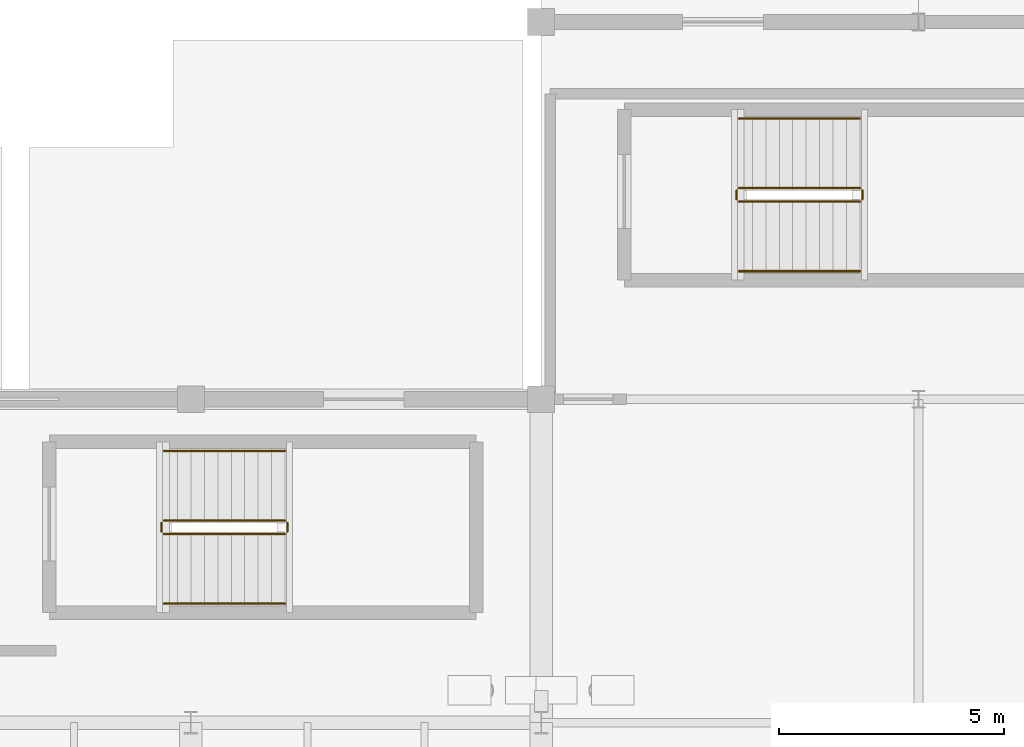
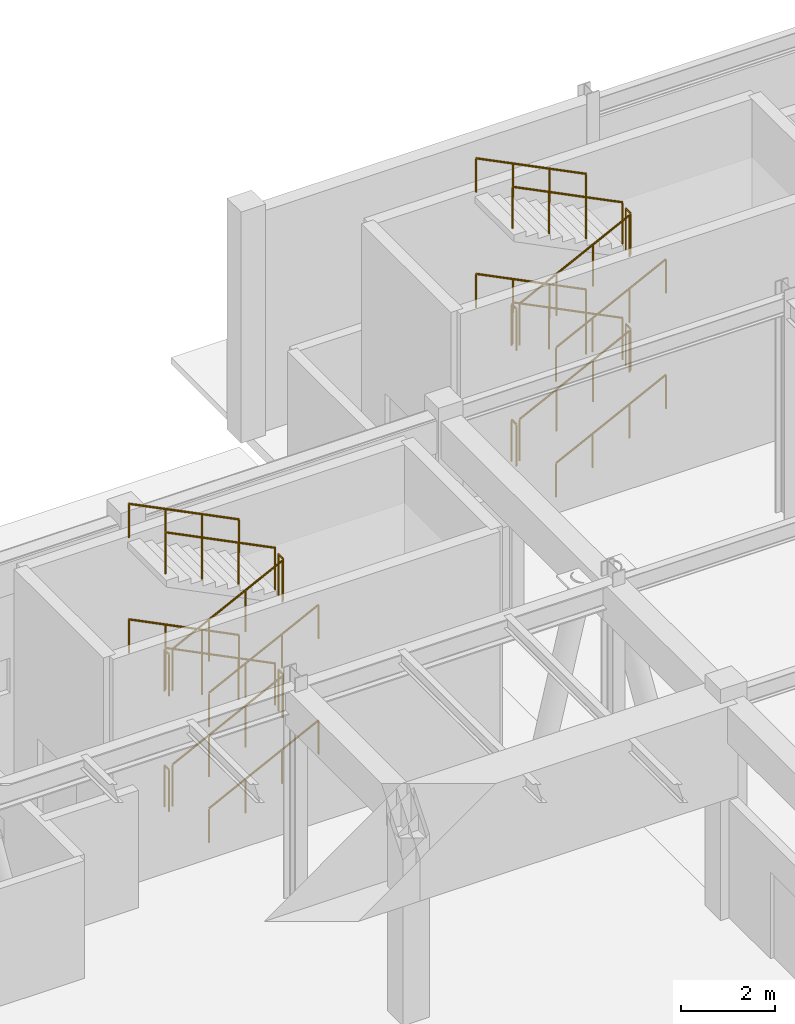
# One storey, part 102 of 110: 24 railings.
"""IFC4 building model written with IfcOpenShell, lengths in metres."""

from ifc_helpers import new_model, si_unit, direction, frame, origin, origin_2d, place, context, subcontext, project, spatial, circle, extrude, material, type_object, element, save


model = new_model("IFC4")

# Units and contexts
model_context = context("Model", 3, precision=1e-05, world=origin(), true_north=direction((0.0, 1.0)))
body_context = subcontext(model_context, "Body", "Model", "MODEL_VIEW")
ifc_project = project(units=[si_unit("LENGTHUNIT", "METRE"), si_unit("AREAUNIT", "SQUARE_METRE"), si_unit("VOLUMEUNIT", "CUBIC_METRE"), si_unit("PLANEANGLEUNIT", "RADIAN"), si_unit("MASSUNIT", "GRAM", prefix="KILO")], contexts=[model_context])

# Site, building, storey
site_placement = place(None, origin())
site = spatial("IfcSite", under=ifc_project, at=site_placement, CompositionType="ELEMENT")
building_placement = place(site_placement, origin())
building = spatial("IfcBuilding", under=site, at=building_placement, Name="Tizgana Railside Sports Hall", CompositionType="ELEMENT")
storey_placement = place(building_placement, origin())
storey = spatial("IfcBuildingStorey", under=building, at=storey_placement, Name="L00", CompositionType="ELEMENT", Elevation=0.0)

# Railings
ifc_material_1 = material(Name="Galvanised steel sheet", Category="steel")
railing_type_1 = type_object("IfcRailingType", Name="Safety Balustrade Guard 1100", PredefinedType="BALUSTRADE", material=ifc_material_1)
railing_1_placement = place(storey_placement, frame((59.0, 84.800048828125, 0.14990234375)))
element("IfcRailing", 1, at=railing_1_placement, inside=storey, type_object=railing_type_1, Name="L00 ST-04 stair guard 1", PredefinedType="BALUSTRADE", context=body_context, shape_type="SweptSolid", body=[
    extrude(circle(Radius=0.02392578125, at=origin_2d()), frame((0.0, 0.0, 1.076171875), z_axis=(0.894411015155, 0.0, 0.447245945728), x_axis=(0.0, 1.0, 0.0)), (0.0, 0.0, 1.0), 3.018798828125),
    extrude(circle(Radius=0.02099609375, at=origin_2d()), origin(), (0.0, 0.0, 1.0), 1.052001953125),
    extrude(circle(Radius=0.02099609375, at=origin_2d()), frame((0.89990234375, 0.0, 0.449951171875)), (0.0, 0.0, 1.0), 1.052001953125),
    extrude(circle(Radius=0.02099609375, at=origin_2d()), frame((1.800048828125, 0.0, 0.900146484375)), (0.0, 0.0, 1.0), 1.052001953125),
    extrude(circle(Radius=0.02099609375, at=origin_2d()), frame((2.699951171875, 0.0, 1.35009765625)), (0.0, 0.0, 1.0), 1.052001953125),
])
railing_2_placement = place(storey_placement, frame((61.75, 84.85009765625, 1.5)))
element("IfcRailing", 2, at=railing_2_placement, inside=storey, type_object=railing_type_1, Name="L00 ST-04 stair guard 2", PredefinedType="BALUSTRADE", context=body_context, shape_type="SweptSolid", body=[
    extrude(circle(Radius=0.02392578125, at=origin_2d()), frame((0.0, 0.0, 1.076171875), z_axis=(0.0, 1.0, 0.0), x_axis=(-1.0, 0.0, 0.0)), (0.0, 0.0, 1.0), 0.199951171875),
    extrude(circle(Radius=0.02099609375, at=origin_2d()), origin(), (0.0, 0.0, 1.0), 1.052001953125),
    extrude(circle(Radius=0.02099609375, at=origin_2d()), frame((0.0, 0.199951171875, 0.0)), (0.0, 0.0, 1.0), 1.052001953125),
])
railing_3_placement = place(storey_placement, frame((61.699951171875, 85.10009765625, 1.64990234375)))
element("IfcRailing", 3, at=railing_3_placement, inside=storey, type_object=railing_type_1, Name="L00 ST-04 stair guard 3", PredefinedType="BALUSTRADE", context=body_context, shape_type="SweptSolid", body=[
    extrude(circle(Radius=0.02392578125, at=origin_2d()), frame((0.0, 0.0, 1.076171875), z_axis=(-0.894411015155, 0.0, 0.447245945728), x_axis=(0.0, -1.0, 0.0)), (0.0, 0.0, 1.0), 3.018798828125),
    extrude(circle(Radius=0.02099609375, at=origin_2d()), origin(), (0.0, 0.0, 1.0), 1.052001953125),
    extrude(circle(Radius=0.02099609375, at=origin_2d()), frame((-0.89990234375, 0.0, 0.449951171875)), (0.0, 0.0, 1.0), 1.052001953125),
    extrude(circle(Radius=0.02099609375, at=origin_2d()), frame((-1.800048828125, 0.0, 0.900146484375)), (0.0, 0.0, 1.0), 1.052001953125),
    extrude(circle(Radius=0.02099609375, at=origin_2d()), frame((-2.699951171875, 0.0, 1.35009765625)), (0.0, 0.0, 1.0), 1.052001953125),
])
railing_4_placement = place(storey_placement, frame((58.949951171875, 84.85009765625, 3.0)))
element("IfcRailing", 4, at=railing_4_placement, inside=storey, type_object=railing_type_1, Name="L00 ST-04 stair guard 4", PredefinedType="BALUSTRADE", context=body_context, shape_type="SweptSolid", body=[
    extrude(circle(Radius=0.02392578125, at=origin_2d()), frame((0.0, 0.0, 1.076171875), z_axis=(0.0, 1.0, 0.0), x_axis=(-1.0, 0.0, 0.0)), (0.0, 0.0, 1.0), 0.199951171875),
    extrude(circle(Radius=0.02099609375, at=origin_2d()), origin(), (0.0, 0.0, 1.0), 1.052001953125),
    extrude(circle(Radius=0.02099609375, at=origin_2d()), frame((0.0, 0.199951171875, 0.0)), (0.0, 0.0, 1.0), 1.052001953125),
])
railing_5_placement = place(storey_placement, frame((59.0, 84.800048828125, 3.14990234375)))
element("IfcRailing", 5, at=railing_5_placement, inside=storey, type_object=railing_type_1, Name="L00 ST-04 stair guard 5", PredefinedType="BALUSTRADE", context=body_context, shape_type="SweptSolid", body=[
    extrude(circle(Radius=0.02392578125, at=origin_2d()), frame((0.0, 0.0, 1.076171875), z_axis=(0.894411015155, 0.0, 0.447245945728), x_axis=(0.0, 1.0, 0.0)), (0.0, 0.0, 1.0), 3.018798828125),
    extrude(circle(Radius=0.02099609375, at=origin_2d()), origin(), (0.0, 0.0, 1.0), 1.052001953125),
    extrude(circle(Radius=0.02099609375, at=origin_2d()), frame((0.89990234375, 0.0, 0.449951171875)), (0.0, 0.0, 1.0), 1.052001953125),
    extrude(circle(Radius=0.02099609375, at=origin_2d()), frame((1.800048828125, 0.0, 0.900146484375)), (0.0, 0.0, 1.0), 1.052001953125),
    extrude(circle(Radius=0.02099609375, at=origin_2d()), frame((2.699951171875, 0.0, 1.35009765625)), (0.0, 0.0, 1.0), 1.052001953125),
])
railing_6_placement = place(storey_placement, frame((61.75, 84.85009765625, 4.5)))
element("IfcRailing", 6, at=railing_6_placement, inside=storey, type_object=railing_type_1, Name="L00 ST-04 stair guard 6", PredefinedType="BALUSTRADE", context=body_context, shape_type="SweptSolid", body=[
    extrude(circle(Radius=0.02392578125, at=origin_2d()), frame((0.0, 0.0, 1.076171875), z_axis=(0.0, 1.0, 0.0), x_axis=(-1.0, 0.0, 0.0)), (0.0, 0.0, 1.0), 0.199951171875),
    extrude(circle(Radius=0.02099609375, at=origin_2d()), origin(), (0.0, 0.0, 1.0), 1.052001953125),
    extrude(circle(Radius=0.02099609375, at=origin_2d()), frame((0.0, 0.199951171875, 0.0)), (0.0, 0.0, 1.0), 1.052001953125),
])
railing_7_placement = place(storey_placement, frame((61.699951171875, 85.10009765625, 4.64990234375)))
element("IfcRailing", 7, at=railing_7_placement, inside=storey, type_object=railing_type_1, Name="L00 ST-04 stair guard 7", PredefinedType="BALUSTRADE", context=body_context, shape_type="SweptSolid", body=[
    extrude(circle(Radius=0.02392578125, at=origin_2d()), frame((0.0, 0.0, 1.076171875), z_axis=(-0.894411015155, 0.0, 0.447245945728), x_axis=(0.0, -1.0, 0.0)), (0.0, 0.0, 1.0), 3.018798828125),
    extrude(circle(Radius=0.02099609375, at=origin_2d()), origin(), (0.0, 0.0, 1.0), 1.052001953125),
    extrude(circle(Radius=0.02099609375, at=origin_2d()), frame((-0.89990234375, 0.0, 0.449951171875)), (0.0, 0.0, 1.0), 1.052001953125),
    extrude(circle(Radius=0.02099609375, at=origin_2d()), frame((-1.800048828125, 0.0, 0.900146484375)), (0.0, 0.0, 1.0), 1.052001953125),
    extrude(circle(Radius=0.02099609375, at=origin_2d()), frame((-2.699951171875, 0.0, 1.35009765625)), (0.0, 0.0, 1.0), 1.052001953125),
])
railing_8_placement = place(storey_placement, frame((58.949951171875, 84.85009765625, 0.0)))
element("IfcRailing", 8, at=railing_8_placement, inside=storey, type_object=railing_type_1, Name="L00 ST-04 stair guard 8", PredefinedType="BALUSTRADE", context=body_context, shape_type="SweptSolid", body=[
    extrude(circle(Radius=0.02392578125, at=origin_2d()), frame((0.0, 0.0, 1.076171875), z_axis=(0.0, 1.0, 0.0), x_axis=(-1.0, 0.0, 0.0)), (0.0, 0.0, 1.0), 0.199951171875),
    extrude(circle(Radius=0.02099609375, at=origin_2d()), origin(), (0.0, 0.0, 1.0), 1.052001953125),
    extrude(circle(Radius=0.02099609375, at=origin_2d()), frame((0.0, 0.199951171875, 0.0)), (0.0, 0.0, 1.0), 1.052001953125),
])
railing_9_placement = place(storey_placement, frame((46.199951171875, 77.39990234375, 0.14990234375)))
element("IfcRailing", 9, at=railing_9_placement, inside=storey, type_object=railing_type_1, Name="L00 ST-06 stair guard 1", PredefinedType="BALUSTRADE", context=body_context, shape_type="SweptSolid", body=[
    extrude(circle(Radius=0.02392578125, at=origin_2d()), frame((0.0, 0.0, 1.076171875), z_axis=(0.894411015155, 0.0, 0.447245945728), x_axis=(0.0, 1.0, 0.0)), (0.0, 0.0, 1.0), 3.018798828125),
    extrude(circle(Radius=0.02099609375, at=origin_2d()), origin(), (0.0, 0.0, 1.0), 1.052001953125),
    extrude(circle(Radius=0.02099609375, at=origin_2d()), frame((0.89990234375, 0.0, 0.449951171875)), (0.0, 0.0, 1.0), 1.052001953125),
    extrude(circle(Radius=0.02099609375, at=origin_2d()), frame((1.800048828125, 0.0, 0.900146484375)), (0.0, 0.0, 1.0), 1.052001953125),
    extrude(circle(Radius=0.02099609375, at=origin_2d()), frame((2.699951171875, 0.0, 1.35009765625)), (0.0, 0.0, 1.0), 1.052001953125),
])
railing_10_placement = place(storey_placement, frame((48.949951171875, 77.449951171875, 1.5)))
element("IfcRailing", 10, at=railing_10_placement, inside=storey, type_object=railing_type_1, Name="L00 ST-06 stair guard 2", PredefinedType="BALUSTRADE", context=body_context, shape_type="SweptSolid", body=[
    extrude(circle(Radius=0.02392578125, at=origin_2d()), frame((0.0, 0.0, 1.076171875), z_axis=(0.0, 1.0, 0.0), x_axis=(-1.0, 0.0, 0.0)), (0.0, 0.0, 1.0), 0.199951171875),
    extrude(circle(Radius=0.02099609375, at=origin_2d()), origin(), (0.0, 0.0, 1.0), 1.052001953125),
    extrude(circle(Radius=0.02099609375, at=origin_2d()), frame((0.0, 0.199951171875, 0.0)), (0.0, 0.0, 1.0), 1.052001953125),
])
railing_11_placement = place(storey_placement, frame((48.89990234375, 77.699951171875, 1.64990234375)))
element("IfcRailing", 11, at=railing_11_placement, inside=storey, type_object=railing_type_1, Name="L00 ST-06 stair guard 3", PredefinedType="BALUSTRADE", context=body_context, shape_type="SweptSolid", body=[
    extrude(circle(Radius=0.02392578125, at=origin_2d()), frame((0.0, 0.0, 1.076171875), z_axis=(-0.894411015155, 0.0, 0.447245945728), x_axis=(0.0, -1.0, 0.0)), (0.0, 0.0, 1.0), 3.018798828125),
    extrude(circle(Radius=0.02099609375, at=origin_2d()), origin(), (0.0, 0.0, 1.0), 1.052001953125),
    extrude(circle(Radius=0.02099609375, at=origin_2d()), frame((-0.89990234375, 0.0, 0.449951171875)), (0.0, 0.0, 1.0), 1.052001953125),
    extrude(circle(Radius=0.02099609375, at=origin_2d()), frame((-1.800048828125, 0.0, 0.900146484375)), (0.0, 0.0, 1.0), 1.052001953125),
    extrude(circle(Radius=0.02099609375, at=origin_2d()), frame((-2.699951171875, 0.0, 1.35009765625)), (0.0, 0.0, 1.0), 1.052001953125),
])
railing_12_placement = place(storey_placement, frame((46.14990234375, 77.449951171875, 3.0)))
element("IfcRailing", 12, at=railing_12_placement, inside=storey, type_object=railing_type_1, Name="L00 ST-06 stair guard 4", PredefinedType="BALUSTRADE", context=body_context, shape_type="SweptSolid", body=[
    extrude(circle(Radius=0.02392578125, at=origin_2d()), frame((0.0, 0.0, 1.076171875), z_axis=(0.0, 1.0, 0.0), x_axis=(-1.0, 0.0, 0.0)), (0.0, 0.0, 1.0), 0.199951171875),
    extrude(circle(Radius=0.02099609375, at=origin_2d()), origin(), (0.0, 0.0, 1.0), 1.052001953125),
    extrude(circle(Radius=0.02099609375, at=origin_2d()), frame((0.0, 0.199951171875, 0.0)), (0.0, 0.0, 1.0), 1.052001953125),
])
railing_13_placement = place(storey_placement, frame((46.199951171875, 77.39990234375, 3.14990234375)))
element("IfcRailing", 13, at=railing_13_placement, inside=storey, type_object=railing_type_1, Name="L00 ST-06 stair guard 5", PredefinedType="BALUSTRADE", context=body_context, shape_type="SweptSolid", body=[
    extrude(circle(Radius=0.02392578125, at=origin_2d()), frame((0.0, 0.0, 1.076171875), z_axis=(0.894411015155, 0.0, 0.447245945728), x_axis=(0.0, 1.0, 0.0)), (0.0, 0.0, 1.0), 3.018798828125),
    extrude(circle(Radius=0.02099609375, at=origin_2d()), origin(), (0.0, 0.0, 1.0), 1.052001953125),
    extrude(circle(Radius=0.02099609375, at=origin_2d()), frame((0.89990234375, 0.0, 0.449951171875)), (0.0, 0.0, 1.0), 1.052001953125),
    extrude(circle(Radius=0.02099609375, at=origin_2d()), frame((1.800048828125, 0.0, 0.900146484375)), (0.0, 0.0, 1.0), 1.052001953125),
    extrude(circle(Radius=0.02099609375, at=origin_2d()), frame((2.699951171875, 0.0, 1.35009765625)), (0.0, 0.0, 1.0), 1.052001953125),
])
railing_14_placement = place(storey_placement, frame((48.949951171875, 77.449951171875, 4.5)))
element("IfcRailing", 14, at=railing_14_placement, inside=storey, type_object=railing_type_1, Name="L00 ST-06 stair guard 6", PredefinedType="BALUSTRADE", context=body_context, shape_type="SweptSolid", body=[
    extrude(circle(Radius=0.02392578125, at=origin_2d()), frame((0.0, 0.0, 1.076171875), z_axis=(0.0, 1.0, 0.0), x_axis=(-1.0, 0.0, 0.0)), (0.0, 0.0, 1.0), 0.199951171875),
    extrude(circle(Radius=0.02099609375, at=origin_2d()), origin(), (0.0, 0.0, 1.0), 1.052001953125),
    extrude(circle(Radius=0.02099609375, at=origin_2d()), frame((0.0, 0.199951171875, 0.0)), (0.0, 0.0, 1.0), 1.052001953125),
])
railing_15_placement = place(storey_placement, frame((48.89990234375, 77.699951171875, 4.64990234375)))
element("IfcRailing", 15, at=railing_15_placement, inside=storey, type_object=railing_type_1, Name="L00 ST-06 stair guard 7", PredefinedType="BALUSTRADE", context=body_context, shape_type="SweptSolid", body=[
    extrude(circle(Radius=0.02392578125, at=origin_2d()), frame((0.0, 0.0, 1.076171875), z_axis=(-0.894411015155, 0.0, 0.447245945728), x_axis=(0.0, -1.0, 0.0)), (0.0, 0.0, 1.0), 3.018798828125),
    extrude(circle(Radius=0.02099609375, at=origin_2d()), origin(), (0.0, 0.0, 1.0), 1.052001953125),
    extrude(circle(Radius=0.02099609375, at=origin_2d()), frame((-0.89990234375, 0.0, 0.449951171875)), (0.0, 0.0, 1.0), 1.052001953125),
    extrude(circle(Radius=0.02099609375, at=origin_2d()), frame((-1.800048828125, 0.0, 0.900146484375)), (0.0, 0.0, 1.0), 1.052001953125),
    extrude(circle(Radius=0.02099609375, at=origin_2d()), frame((-2.699951171875, 0.0, 1.35009765625)), (0.0, 0.0, 1.0), 1.052001953125),
])
railing_16_placement = place(storey_placement, frame((46.14990234375, 77.449951171875, 0.0)))
element("IfcRailing", 16, at=railing_16_placement, inside=storey, type_object=railing_type_1, Name="L00 ST-06 stair guard 8", PredefinedType="BALUSTRADE", context=body_context, shape_type="SweptSolid", body=[
    extrude(circle(Radius=0.02392578125, at=origin_2d()), frame((0.0, 0.0, 1.076171875), z_axis=(0.0, 1.0, 0.0), x_axis=(-1.0, 0.0, 0.0)), (0.0, 0.0, 1.0), 0.199951171875),
    extrude(circle(Radius=0.02099609375, at=origin_2d()), origin(), (0.0, 0.0, 1.0), 1.052001953125),
    extrude(circle(Radius=0.02099609375, at=origin_2d()), frame((0.0, 0.199951171875, 0.0)), (0.0, 0.0, 1.0), 1.052001953125),
])
ifc_material_2 = material(Name="Brushed stainless steel", Category="steel")
railing_type_2 = type_object("IfcRailingType", Name="Stair & Ramp Wall Handrail 900", PredefinedType="HANDRAIL", material=ifc_material_2)
railing_17_placement = place(storey_placement, frame((59.0, 83.25, 0.14990234375)))
element("IfcRailing", 17, at=railing_17_placement, inside=storey, type_object=railing_type_2, Name="L00 ST-04 stair handrail 1", PredefinedType="HANDRAIL", context=body_context, shape_type="SweptSolid", body=[
    extrude(circle(Radius=0.02392578125, at=origin_2d()), frame((0.0, 0.0, 0.8759765625), z_axis=(0.894411015155, 0.0, 0.447245945728), x_axis=(0.0, 1.0, 0.0)), (0.0, 0.0, 1.0), 3.018798828125),
    extrude(circle(Radius=0.02099609375, at=origin_2d()), origin(), (0.0, 0.0, 1.0), 0.851806640625),
    extrude(circle(Radius=0.02099609375, at=origin_2d()), frame((0.89990234375, 0.0, 0.449951171875)), (0.0, 0.0, 1.0), 0.851806640625),
    extrude(circle(Radius=0.02099609375, at=origin_2d()), frame((1.800048828125, 0.0, 0.900146484375)), (0.0, 0.0, 1.0), 0.851806640625),
    extrude(circle(Radius=0.02099609375, at=origin_2d()), frame((2.699951171875, 0.0, 1.35009765625)), (0.0, 0.0, 1.0), 0.851806640625),
])
railing_18_placement = place(storey_placement, frame((61.699951171875, 86.64990234375, 1.64990234375)))
element("IfcRailing", 18, at=railing_18_placement, inside=storey, type_object=railing_type_2, Name="L00 ST-04 stair handrail 2", PredefinedType="HANDRAIL", context=body_context, shape_type="SweptSolid", body=[
    extrude(circle(Radius=0.02392578125, at=origin_2d()), frame((0.0, 0.0, 0.8759765625), z_axis=(-0.894411015155, 0.0, 0.447245945728), x_axis=(0.0, -1.0, 0.0)), (0.0, 0.0, 1.0), 3.018798828125),
    extrude(circle(Radius=0.02099609375, at=origin_2d()), origin(), (0.0, 0.0, 1.0), 0.851806640625),
    extrude(circle(Radius=0.02099609375, at=origin_2d()), frame((-0.89990234375, 0.0, 0.449951171875)), (0.0, 0.0, 1.0), 0.851806640625),
    extrude(circle(Radius=0.02099609375, at=origin_2d()), frame((-1.800048828125, 0.0, 0.900146484375)), (0.0, 0.0, 1.0), 0.851806640625),
    extrude(circle(Radius=0.02099609375, at=origin_2d()), frame((-2.699951171875, 0.0, 1.35009765625)), (0.0, 0.0, 1.0), 0.851806640625),
])
railing_19_placement = place(storey_placement, frame((59.0, 83.25, 3.14990234375)))
element("IfcRailing", 19, at=railing_19_placement, inside=storey, type_object=railing_type_2, Name="L00 ST-04 stair handrail 3", PredefinedType="HANDRAIL", context=body_context, shape_type="SweptSolid", body=[
    extrude(circle(Radius=0.02392578125, at=origin_2d()), frame((0.0, 0.0, 0.8759765625), z_axis=(0.894411015155, 0.0, 0.447245945728), x_axis=(0.0, 1.0, 0.0)), (0.0, 0.0, 1.0), 3.018798828125),
    extrude(circle(Radius=0.02099609375, at=origin_2d()), origin(), (0.0, 0.0, 1.0), 0.851806640625),
    extrude(circle(Radius=0.02099609375, at=origin_2d()), frame((0.89990234375, 0.0, 0.449951171875)), (0.0, 0.0, 1.0), 0.851806640625),
    extrude(circle(Radius=0.02099609375, at=origin_2d()), frame((1.800048828125, 0.0, 0.900146484375)), (0.0, 0.0, 1.0), 0.851806640625),
    extrude(circle(Radius=0.02099609375, at=origin_2d()), frame((2.699951171875, 0.0, 1.35009765625)), (0.0, 0.0, 1.0), 0.851806640625),
])
railing_20_placement = place(storey_placement, frame((61.699951171875, 86.64990234375, 4.64990234375)))
element("IfcRailing", 20, at=railing_20_placement, inside=storey, type_object=railing_type_2, Name="L00 ST-04 stair handrail 4", PredefinedType="HANDRAIL", context=body_context, shape_type="SweptSolid", body=[
    extrude(circle(Radius=0.02392578125, at=origin_2d()), frame((0.0, 0.0, 0.8759765625), z_axis=(-0.894411015155, 0.0, 0.447245945728), x_axis=(0.0, -1.0, 0.0)), (0.0, 0.0, 1.0), 3.018798828125),
    extrude(circle(Radius=0.02099609375, at=origin_2d()), origin(), (0.0, 0.0, 1.0), 0.851806640625),
    extrude(circle(Radius=0.02099609375, at=origin_2d()), frame((-0.89990234375, 0.0, 0.449951171875)), (0.0, 0.0, 1.0), 0.851806640625),
    extrude(circle(Radius=0.02099609375, at=origin_2d()), frame((-1.800048828125, 0.0, 0.900146484375)), (0.0, 0.0, 1.0), 0.851806640625),
    extrude(circle(Radius=0.02099609375, at=origin_2d()), frame((-2.699951171875, 0.0, 1.35009765625)), (0.0, 0.0, 1.0), 0.851806640625),
])
railing_21_placement = place(storey_placement, frame((46.199951171875, 75.85009765625, 0.14990234375)))
element("IfcRailing", 21, at=railing_21_placement, inside=storey, type_object=railing_type_2, Name="L00 ST-06 stair handrail 1", PredefinedType="HANDRAIL", context=body_context, shape_type="SweptSolid", body=[
    extrude(circle(Radius=0.02392578125, at=origin_2d()), frame((0.0, 0.0, 0.8759765625), z_axis=(0.894411015155, 0.0, 0.447245945728), x_axis=(0.0, 1.0, 0.0)), (0.0, 0.0, 1.0), 3.018798828125),
    extrude(circle(Radius=0.02099609375, at=origin_2d()), origin(), (0.0, 0.0, 1.0), 0.851806640625),
    extrude(circle(Radius=0.02099609375, at=origin_2d()), frame((0.89990234375, 0.0, 0.449951171875)), (0.0, 0.0, 1.0), 0.851806640625),
    extrude(circle(Radius=0.02099609375, at=origin_2d()), frame((1.800048828125, 0.0, 0.900146484375)), (0.0, 0.0, 1.0), 0.851806640625),
    extrude(circle(Radius=0.02099609375, at=origin_2d()), frame((2.699951171875, 0.0, 1.35009765625)), (0.0, 0.0, 1.0), 0.851806640625),
])
railing_22_placement = place(storey_placement, frame((48.89990234375, 79.25, 1.64990234375)))
element("IfcRailing", 22, at=railing_22_placement, inside=storey, type_object=railing_type_2, Name="L00 ST-06 stair handrail 2", PredefinedType="HANDRAIL", context=body_context, shape_type="SweptSolid", body=[
    extrude(circle(Radius=0.02392578125, at=origin_2d()), frame((0.0, 0.0, 0.8759765625), z_axis=(-0.894411015155, 0.0, 0.447245945728), x_axis=(0.0, -1.0, 0.0)), (0.0, 0.0, 1.0), 3.018798828125),
    extrude(circle(Radius=0.02099609375, at=origin_2d()), origin(), (0.0, 0.0, 1.0), 0.851806640625),
    extrude(circle(Radius=0.02099609375, at=origin_2d()), frame((-0.89990234375, 0.0, 0.449951171875)), (0.0, 0.0, 1.0), 0.851806640625),
    extrude(circle(Radius=0.02099609375, at=origin_2d()), frame((-1.800048828125, 0.0, 0.900146484375)), (0.0, 0.0, 1.0), 0.851806640625),
    extrude(circle(Radius=0.02099609375, at=origin_2d()), frame((-2.699951171875, 0.0, 1.35009765625)), (0.0, 0.0, 1.0), 0.851806640625),
])
railing_23_placement = place(storey_placement, frame((46.199951171875, 75.85009765625, 3.14990234375)))
element("IfcRailing", 23, at=railing_23_placement, inside=storey, type_object=railing_type_2, Name="L00 ST-06 stair handrail 3", PredefinedType="HANDRAIL", context=body_context, shape_type="SweptSolid", body=[
    extrude(circle(Radius=0.02392578125, at=origin_2d()), frame((0.0, 0.0, 0.8759765625), z_axis=(0.894411015155, 0.0, 0.447245945728), x_axis=(0.0, 1.0, 0.0)), (0.0, 0.0, 1.0), 3.018798828125),
    extrude(circle(Radius=0.02099609375, at=origin_2d()), origin(), (0.0, 0.0, 1.0), 0.851806640625),
    extrude(circle(Radius=0.02099609375, at=origin_2d()), frame((0.89990234375, 0.0, 0.449951171875)), (0.0, 0.0, 1.0), 0.851806640625),
    extrude(circle(Radius=0.02099609375, at=origin_2d()), frame((1.800048828125, 0.0, 0.900146484375)), (0.0, 0.0, 1.0), 0.851806640625),
    extrude(circle(Radius=0.02099609375, at=origin_2d()), frame((2.699951171875, 0.0, 1.35009765625)), (0.0, 0.0, 1.0), 0.851806640625),
])
railing_24_placement = place(storey_placement, frame((48.89990234375, 79.25, 4.64990234375)))
element("IfcRailing", 24, at=railing_24_placement, inside=storey, type_object=railing_type_2, Name="L00 ST-06 stair handrail 4", PredefinedType="HANDRAIL", context=body_context, shape_type="SweptSolid", body=[
    extrude(circle(Radius=0.02392578125, at=origin_2d()), frame((0.0, 0.0, 0.8759765625), z_axis=(-0.894411015155, 0.0, 0.447245945728), x_axis=(0.0, -1.0, 0.0)), (0.0, 0.0, 1.0), 3.018798828125),
    extrude(circle(Radius=0.02099609375, at=origin_2d()), origin(), (0.0, 0.0, 1.0), 0.851806640625),
    extrude(circle(Radius=0.02099609375, at=origin_2d()), frame((-0.89990234375, 0.0, 0.449951171875)), (0.0, 0.0, 1.0), 0.851806640625),
    extrude(circle(Radius=0.02099609375, at=origin_2d()), frame((-1.800048828125, 0.0, 0.900146484375)), (0.0, 0.0, 1.0), 0.851806640625),
    extrude(circle(Radius=0.02099609375, at=origin_2d()), frame((-2.699951171875, 0.0, 1.35009765625)), (0.0, 0.0, 1.0), 0.851806640625),
])

save(model, "model.ifc")
